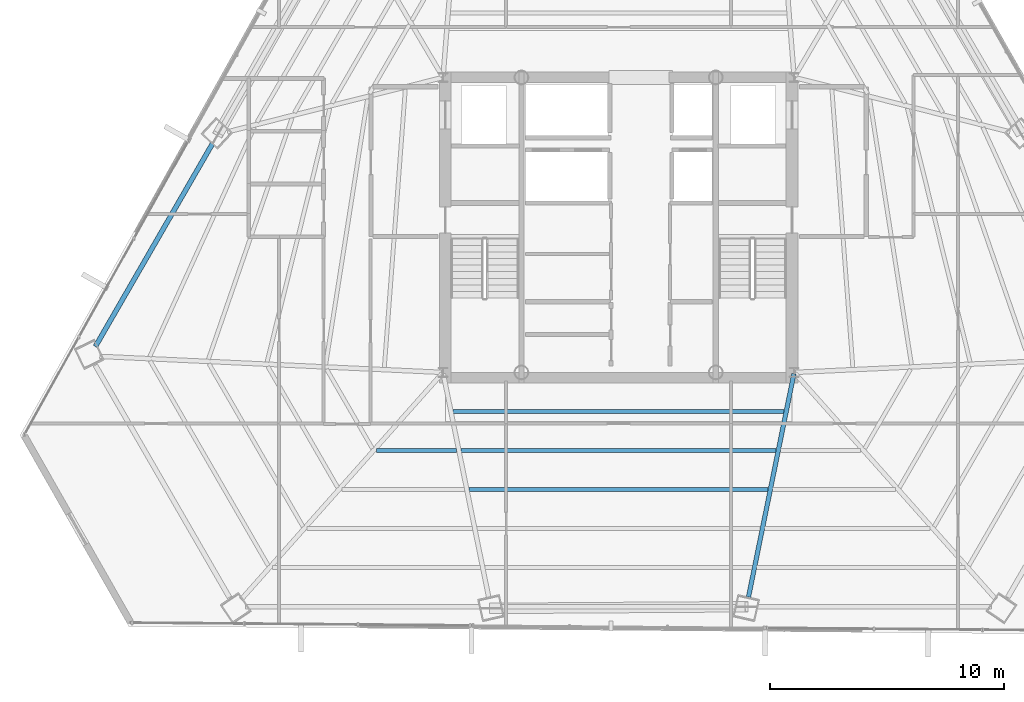
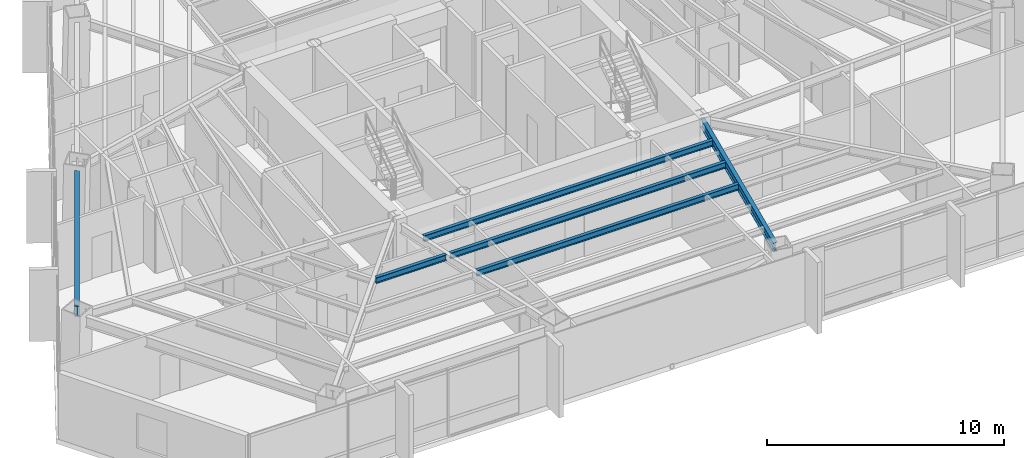
# One storey, part 11 of 38: 6 beams.
"""IFC4 building model written with IfcOpenShell, lengths in metres."""

from ifc_helpers import new_model, si_unit, direction, frame, origin, origin_2d, place, context, subcontext, project, spatial, i_section, extrude, source, transform, mapped, material, material_profile, profile_set, type_object, type_shapes, element, save


model = new_model("IFC4")

# Units and contexts
model_context = context("Model", 3, precision=1e-05, world=origin(), true_north=direction((0.0, 1.0)))
body_context = subcontext(model_context, "Body", "Model", "MODEL_VIEW")
ifc_project = project(units=[si_unit("LENGTHUNIT", "METRE"), si_unit("AREAUNIT", "SQUARE_METRE"), si_unit("VOLUMEUNIT", "CUBIC_METRE"), si_unit("PLANEANGLEUNIT", "RADIAN"), si_unit("MASSUNIT", "GRAM", prefix="KILO")], contexts=[model_context])

# Site, building, storey
site_placement = place(None, origin())
site = spatial("IfcSite", under=ifc_project, at=site_placement, CompositionType="ELEMENT")
building_placement = place(site_placement, origin())
building = spatial("IfcBuilding", under=site, at=building_placement, Name="Caelisora Broadcast Tower", CompositionType="ELEMENT")
storey_placement = place(building_placement, frame((0.0, 0.0, 154.85009765625)))
storey = spatial("IfcBuildingStorey", under=building, at=storey_placement, Name="L40", CompositionType="ELEMENT", Elevation=154.85009765625)

# Beams
ifc_material = material(Name="Steel Grade 350 (AS/NZS 3679.1)", Category="steel")
ifc_material_profile_1 = material_profile(ifc_material, i_section(OverallWidth=0.208984375, OverallDepth=0.532958984375, WebThickness=0.01025390625, FlangeThickness=0.015625, at=origin_2d()), Name="Steel Grade 350 (AS/NZS 3679.1)")
ifc_profile_set_1 = profile_set([ifc_material_profile_1], Name="Steel Grade 350 (AS/NZS 3679.1)")
beam_type_1 = type_object("IfcBeamType", Name="PG05", PredefinedType="BEAM", material=ifc_profile_set_1)
shared_shape_1 = source(origin(), body_context, "Body", "SweptSolid", [
    extrude(i_section(OverallWidth=0.208984375, OverallDepth=0.532958984375, WebThickness=0.01025390625, FlangeThickness=0.015625, at=origin_2d()), origin(), (0.0, 0.0, 1.0), 10.01025390625),
])
type_shapes(beam_type_1, [shared_shape_1])
beam_1_placement = place(storey_placement, frame((20.6552734375, 27.17236328125, 3.13330078125), z_axis=(-0.499997609114, -0.866026784159, 0.0), x_axis=(0.866026784159, -0.499997609114, 0.0)))
element("IfcBeam", 1, at=beam_1_placement, inside=storey, type_object=beam_type_1, Name="L40 beam PG05", PredefinedType="BEAM", context=body_context, shape_type="MappedRepresentation", body=[
    mapped(shared_shape_1, transform((0.0, 0.0, 0.0), scale=1.0)),
])
ifc_material_profile_2 = material_profile(ifc_material, i_section(OverallWidth=0.19091796875, OverallDepth=0.46044921875, WebThickness=0.010009765625, FlangeThickness=0.01611328125, at=origin_2d()), Name="Steel Grade 350 (AS/NZS 3679.1)")
ifc_profile_set_2 = profile_set([ifc_material_profile_2], Name="Steel Grade 350 (AS/NZS 3679.1)")
beam_type_2 = type_object("IfcBeamType", Name="PG06", PredefinedType="BEAM", material=ifc_profile_set_2)
shared_shape_2 = source(origin(), body_context, "Body", "SweptSolid", [
    extrude(i_section(OverallWidth=0.19091796875, OverallDepth=0.46044921875, WebThickness=0.010009765625, FlangeThickness=0.01611328125, at=origin_2d()), origin(), (0.0, 0.0, 1.0), 9.73193359375),
])
type_shapes(beam_type_2, [shared_shape_2])
beam_2_placement = place(storey_placement, frame((45.488037109375, 17.34130859375, 3.169677734375), z_axis=(-0.199260563546, -0.979946543346, 0.0), x_axis=(0.979946543346, -0.199260563546, 0.0)))
element("IfcBeam", 2, at=beam_2_placement, inside=storey, type_object=beam_type_2, Name="L40 beam PG06", PredefinedType="BEAM", context=body_context, shape_type="MappedRepresentation", body=[
    mapped(shared_shape_2, transform((0.0, 0.0, 0.0), scale=1.0)),
])
ifc_material_profile_3 = material_profile(ifc_material, i_section(OverallWidth=0.166015625, OverallDepth=0.30712890625, WebThickness=0.006591796875, FlangeThickness=0.01171875, at=origin_2d()), Name="Steel Grade 350 (AS/NZS 3679.1)")
ifc_profile_set_3 = profile_set([ifc_material_profile_3], Name="Steel Grade 350 (AS/NZS 3679.1)")
beam_type_3 = type_object("IfcBeamType", Name="SB03", PredefinedType="JOIST", material=ifc_profile_set_3)
shared_shape_3 = source(origin(), body_context, "Body", "SweptSolid", [
    extrude(i_section(OverallWidth=0.166015625, OverallDepth=0.30712890625, WebThickness=0.006591796875, FlangeThickness=0.01171875, at=origin_2d()), origin(), (0.0, 0.0, 1.0), 3.424072265625),
])
beam_3_placement = place(storey_placement, frame((27.65966796875, 14.064208984375, 3.246337890625), z_axis=(1.0, 0.0, 0.0), x_axis=(0.0, 1.0, 0.0)))
element("IfcBeam", 3, at=beam_3_placement, inside=storey, type_object=beam_type_3, Name="L40 beam SB03", PredefinedType="JOIST", context=body_context, shape_type="MappedRepresentation", body=[
    mapped(shared_shape_3, transform((0.0, 0.0, 0.0), scale=1.0)),
])
shared_shape_4 = source(origin(), body_context, "Body", "SweptSolid", [
    extrude(i_section(OverallWidth=0.166015625, OverallDepth=0.30712890625, WebThickness=0.006591796875, FlangeThickness=0.01171875, at=origin_2d()), origin(), (0.0, 0.0, 1.0), 14.1328125),
])
beam_4_placement = place(storey_placement, frame((30.93359375, 15.732177734375, 3.246337890625), z_axis=(1.0, 0.0, 0.0), x_axis=(0.0, 1.0, 0.0)))
element("IfcBeam", 4, at=beam_4_placement, inside=storey, type_object=beam_type_3, Name="L40 beam SB03", PredefinedType="JOIST", context=body_context, shape_type="MappedRepresentation", body=[
    mapped(shared_shape_4, transform((0.0, 0.0, 0.0), scale=1.0)),
])
shared_shape_5 = source(origin(), body_context, "Body", "SweptSolid", [
    extrude(i_section(OverallWidth=0.166015625, OverallDepth=0.30712890625, WebThickness=0.006591796875, FlangeThickness=0.01171875, at=origin_2d()), origin(), (0.0, 0.0, 1.0), 13.45458984375),
])
beam_5_placement = place(storey_placement, frame((31.272705078125, 14.064208984375, 3.246337890625), z_axis=(1.0, 0.0, 0.0), x_axis=(0.0, 1.0, 0.0)))
element("IfcBeam", 5, at=beam_5_placement, inside=storey, type_object=beam_type_3, Name="L40 beam SB03", PredefinedType="JOIST", context=body_context, shape_type="MappedRepresentation", body=[
    mapped(shared_shape_5, transform((0.0, 0.0, 0.0), scale=1.0)),
])
shared_shape_6 = source(origin(), body_context, "Body", "SweptSolid", [
    extrude(i_section(OverallWidth=0.166015625, OverallDepth=0.30712890625, WebThickness=0.006591796875, FlangeThickness=0.01171875, at=origin_2d()), origin(), (0.0, 0.0, 1.0), 12.776123046875),
])
type_shapes(beam_type_3, [shared_shape_3, shared_shape_4, shared_shape_5, shared_shape_6])
beam_6_placement = place(storey_placement, frame((31.612060546875, 12.396484375, 3.246337890625), z_axis=(1.0, 0.0, 0.0), x_axis=(0.0, 1.0, 0.0)))
element("IfcBeam", 6, at=beam_6_placement, inside=storey, type_object=beam_type_3, Name="L40 beam SB03", PredefinedType="JOIST", context=body_context, shape_type="MappedRepresentation", body=[
    mapped(shared_shape_6, transform((0.0, 0.0, 0.0), scale=1.0)),
])

save(model, "model.ifc")
